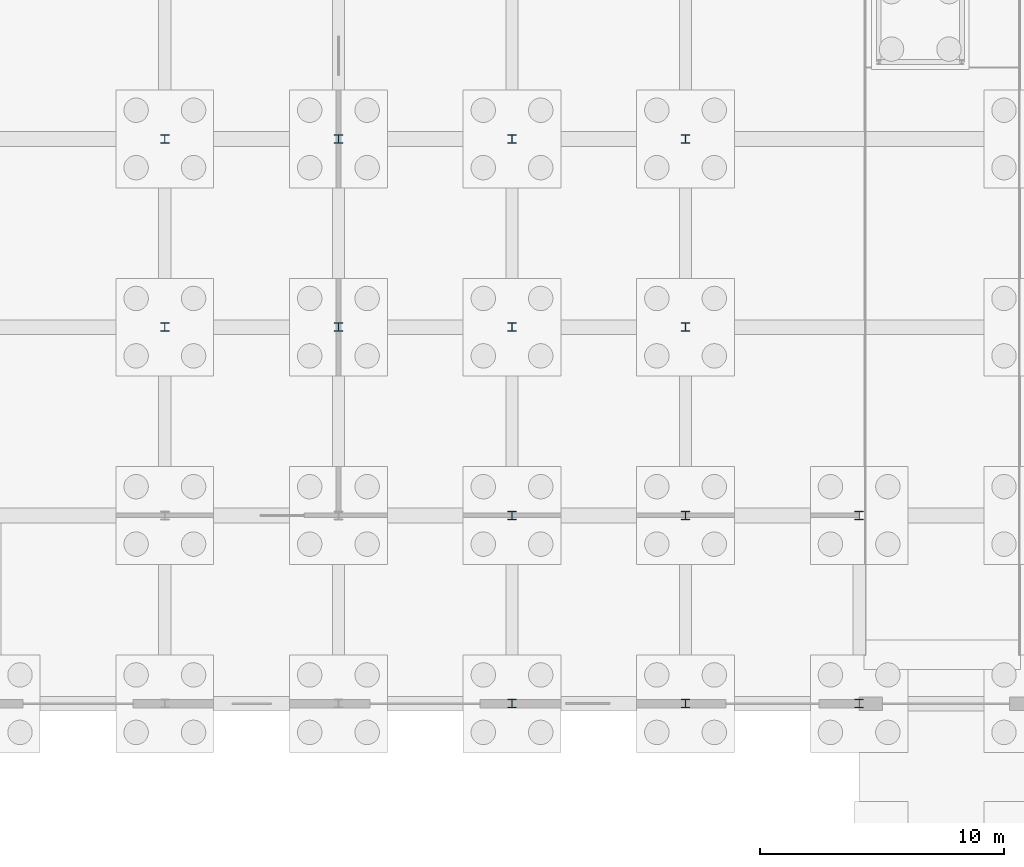
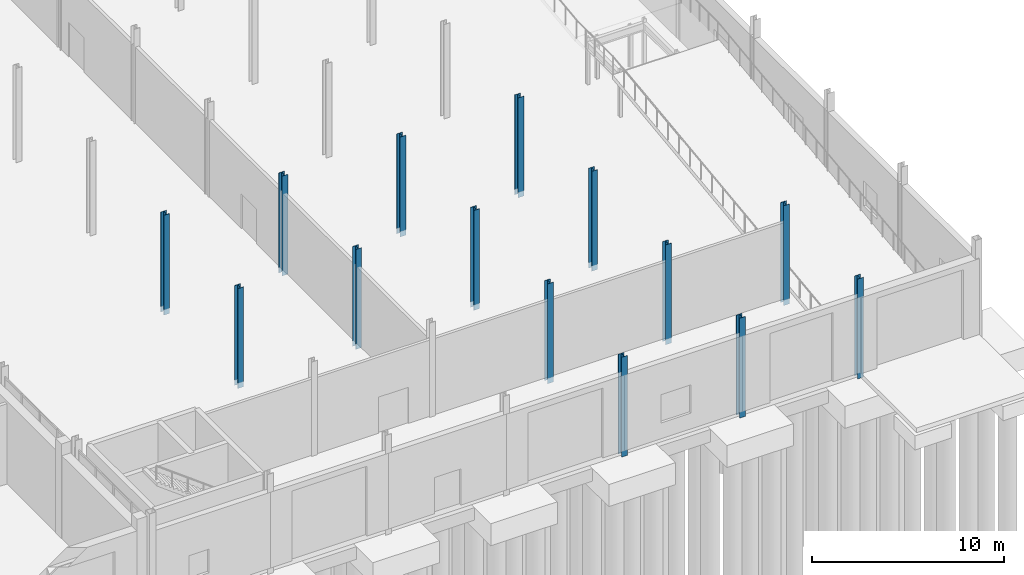
# One storey, part 32 of 139: 14 columns.
"""IFC4 building model written with IfcOpenShell, lengths in metres."""

from ifc_helpers import new_model, si_unit, direction, frame, origin, origin_2d, place, context, subcontext, project, spatial, i_section, extrude, material, material_profile, profile_set, type_object, element, save


model = new_model("IFC4")

# Units and contexts
model_context = context("Model", 3, precision=1e-05, world=origin(), true_north=direction((0.0, 1.0)))
body_context = subcontext(model_context, "Body", "Model", "MODEL_VIEW")
ifc_project = project(units=[si_unit("LENGTHUNIT", "METRE"), si_unit("AREAUNIT", "SQUARE_METRE"), si_unit("VOLUMEUNIT", "CUBIC_METRE"), si_unit("PLANEANGLEUNIT", "RADIAN"), si_unit("MASSUNIT", "GRAM", prefix="KILO")], contexts=[model_context])

# Site, building, storey
site_placement = place(None, origin())
site = spatial("IfcSite", under=ifc_project, at=site_placement, CompositionType="ELEMENT")
building_placement = place(site_placement, origin())
building = spatial("IfcBuilding", under=site, at=building_placement, Name="Kazenagashi Tramway Depot", CompositionType="ELEMENT")
storey_placement = place(building_placement, origin())
storey = spatial("IfcBuildingStorey", under=building, at=storey_placement, Name="L01", CompositionType="ELEMENT", Elevation=0.0)

# Columns
ifc_material = material(Name="Steel SN490B", Category="steel")
ifc_material_profile = material_profile(ifc_material, i_section(OverallWidth=0.35, OverallDepth=0.35, WebThickness=0.012, FlangeThickness=0.019, at=origin_2d()), Name="H-350x350x12x19")
ifc_profile_set = profile_set([ifc_material_profile], Name="Steel SN490B")
column_type = type_object("IfcColumnType", Name="C-04", PredefinedType="COLUMN", material=ifc_profile_set)
for number, where, z_axis, x_axis, name in (
    (1, (160.5, 15.4, -0.35), (0.0, 0.0, 1.0), (1.0, 0.0, 0.0), "Column C-04 COL-0398"),
    (2, (160.5, 23.1, -0.35), (0.0, 0.0, 1.0), (1.0, 0.0, 0.0), "Column C-04 COL-0400"),
    (3, (167.6, 15.4, -0.35), (0.0, 0.0, 1.0), (1.0, 0.0, 0.0), "Column C-04 COL-0423"),
    (4, (167.6, 23.1, -0.35), (0.0, 0.0, 1.0), (1.0, 0.0, 0.0), "Column C-04 COL-0425"),
    (5, (174.7, 0.0, -0.35), (0.0, 0.0, 1.0), (1.0, 0.0, 0.0), "Column C-04 COL-0444"),
    (6, (174.7, 7.7, -0.35), (0.0, 0.0, 1.0), (1.0, 0.0, 0.0), "Column C-04 COL-0446"),
    (7, (174.7, 15.4, -0.35), (0.0, 0.0, 1.0), (1.0, 0.0, 0.0), "Column C-04 COL-0448"),
    (8, (174.7, 23.1, -0.35), (0.0, 0.0, 1.0), (1.0, 0.0, 0.0), "Column C-04 COL-0450"),
    (9, (181.8, 0.0, -0.35), (0.0, 0.0, 1.0), (1.0, 0.0, 0.0), "Column C-04 COL-0469"),
    (10, (181.8, 7.7, -0.35), (0.0, 0.0, 1.0), (1.0, 0.0, 0.0), "Column C-04 COL-0471"),
    (11, (181.8, 15.4, -0.35), (0.0, 0.0, 1.0), (1.0, 0.0, 0.0), "Column C-04 COL-0473"),
    (12, (181.8, 23.1, -0.35), (0.0, 0.0, 1.0), (1.0, 0.0, 0.0), "Column C-04 COL-0475"),
    (13, (188.9, 0.0, -0.35), (0.0, 0.0, 1.0), (1.0, 0.0, 0.0), "Column C-04 COL-0494"),
    (14, (188.9, 7.7, -0.35), (0.0, 0.0, 1.0), (1.0, 0.0, 0.0), "Column C-04 COL-0496"),
):
    element("IfcColumn", number, at=place(storey_placement, frame(where, z_axis=z_axis, x_axis=x_axis)), inside=storey, type_object=column_type, Name=name, PredefinedType="COLUMN", context=body_context, shape_type="SweptSolid", body=[
        extrude(i_section(OverallWidth=0.35, OverallDepth=0.35, WebThickness=0.012, FlangeThickness=0.019, at=origin_2d()), origin(), (0.0, 0.0, 1.0), 6.35),
    ])

save(model, "model.ifc")
